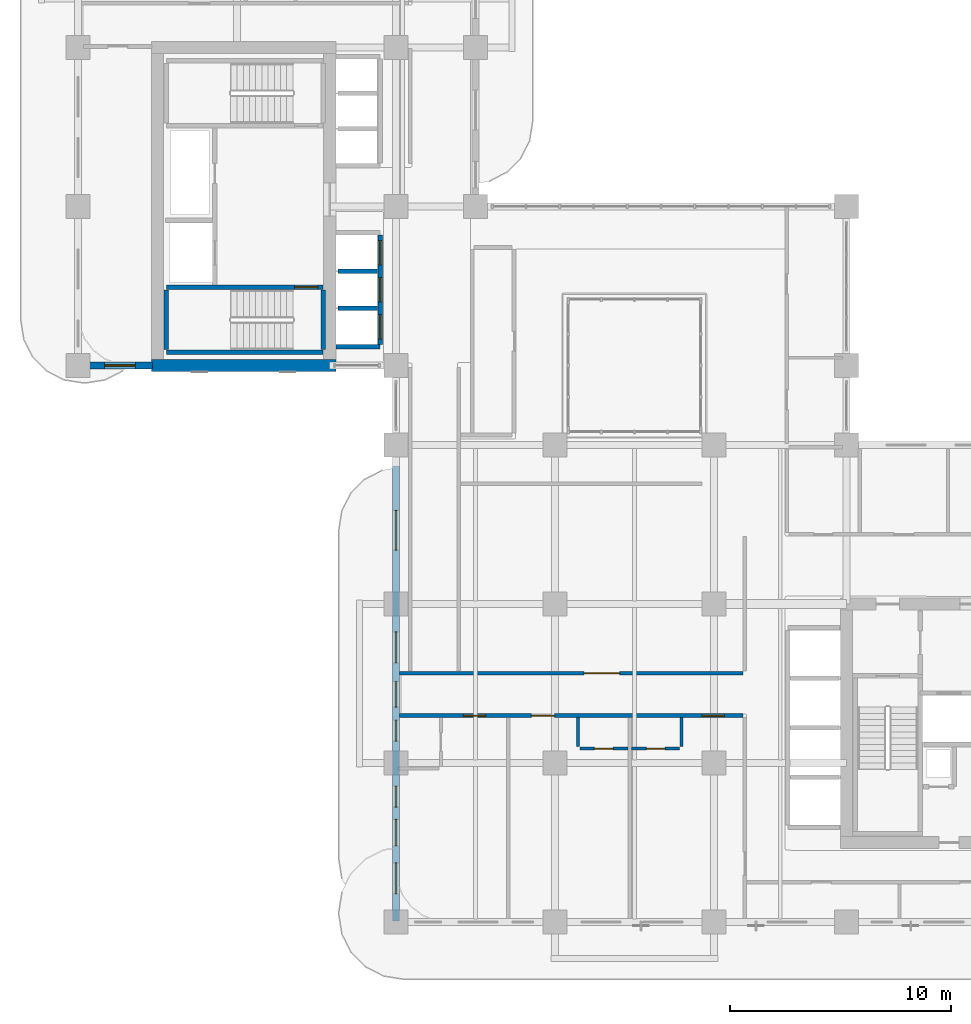
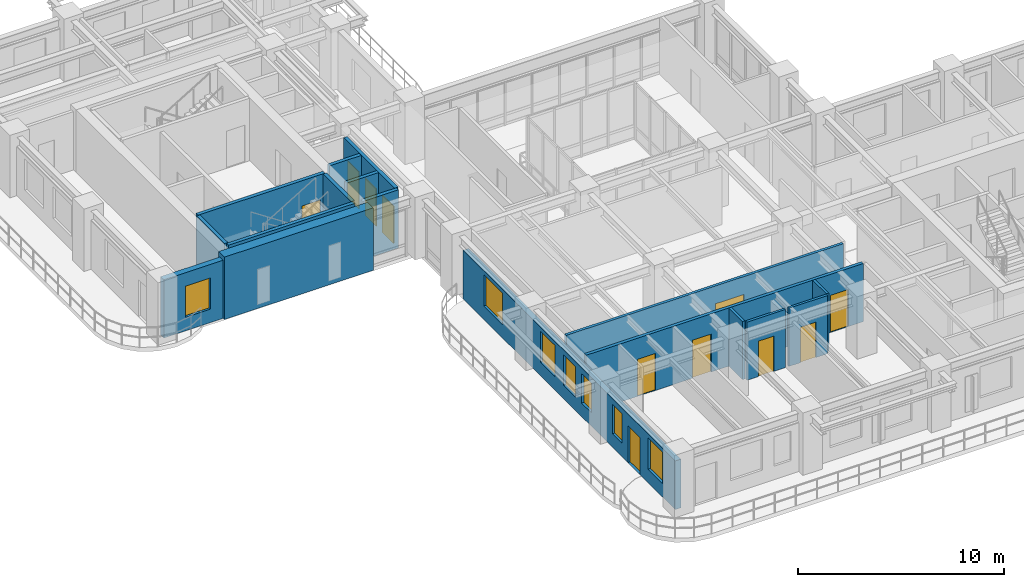
# One storey, part 12 of 22: 17 walls, 11 doors, 7 windows, 18 openings.
"""IFC4 building model written with IfcOpenShell, lengths in metres."""

import ifcopenshell
import ifcopenshell.guid

model = None  # the IFC model being written
_history = None  # IfcOwnerHistory: only IFC2X3 demands one
_inside = {}  # id of a spatial element -> (the spatial element, [elements in it])
_under = {}  # id of a project, library or spatial element -> (it, [spatial elements below it])
_declared = {}  # id of a project -> (the project, [libraries it declares])
_typed = {}  # id of a type object -> (the type object, [elements of that type])
_made_of = {}  # id of a material, layer set ... -> (it, [elements and type objects made of it])


def new_model(schema):
    """Start an empty IFC model of exactly this schema.

    Asked for "IFC4X3", IfcOpenShell would pick the latest addendum, in which some entities
    have other attributes; the version numbers below select the first issue.
    IFC2X3 requires an IfcOwnerHistory on every rooted entity: one is made here for all.
    """
    global model, _history
    if schema == "IFC4X3":
        model = ifcopenshell.file(schema_version=(4, 3, 0, 0))
    else:
        model = ifcopenshell.file(schema=schema)
    _inside.clear()
    _under.clear()
    _declared.clear()
    _typed.clear()
    _made_of.clear()
    _history = None
    if model.schema == "IFC2X3":
        org = make("IfcOrganization", Name="unknown")
        user = make(
            "IfcPersonAndOrganization",
            ThePerson=make("IfcPerson", FamilyName="unknown"),
            TheOrganization=org,
        )
        app = make(
            "IfcApplication",
            ApplicationDeveloper=org,
            Version="unknown",
            ApplicationFullName="unknown",
            ApplicationIdentifier="unknown",
        )
        _history = make(
            "IfcOwnerHistory",
            OwningUser=user,
            OwningApplication=app,
            ChangeAction="ADDED",
            CreationDate=0,
        )
    return model


def make(cls, **values):
    """One entity of the class cls with the attributes given. An attribute that is None is left unset."""
    return model.create_entity(
        cls, **{name: value for name, value in values.items() if value is not None}
    )


def rooted(cls, **values):
    """An entity with a GlobalId (a new one), such as an element, a storey or a relation."""
    return make(cls, GlobalId=ifcopenshell.guid.new(), OwnerHistory=_history, **values)


def si_unit(unit_type, name, prefix=None):
    """IfcSIUnit, for example si_unit("LENGTHUNIT", "METRE", prefix="MILLI")."""
    return make("IfcSIUnit", UnitType=unit_type, Prefix=prefix, Name=name)


def derived_unit(unit_type, elements):
    """IfcDerivedUnit: a product of units, each with its exponent."""
    return make(
        "IfcDerivedUnit",
        Elements=[
            make("IfcDerivedUnitElement", Unit=unit, Exponent=power)
            for unit, power in elements
        ],
        UnitType=unit_type,
    )


def assignment(units):
    """IfcUnitAssignment: the units of a project."""
    return None if units is None else make("IfcUnitAssignment", Units=units)


def point(xyz):
    """IfcCartesianPoint."""
    return None if xyz is None else make("IfcCartesianPoint", Coordinates=xyz)


def direction(xyz):
    """IfcDirection."""
    return None if xyz is None else make("IfcDirection", DirectionRatios=xyz)


def frame(location, z_axis=None, x_axis=None):
    """IfcAxis2Placement3D, a coordinate frame: its origin and axes. An axis left out is left unset."""
    return make(
        "IfcAxis2Placement3D",
        Location=point(location),
        Axis=direction(z_axis),
        RefDirection=direction(x_axis),
    )


def frame_2d(location, x_axis=None):
    """IfcAxis2Placement2D, a coordinate frame in the plane: its origin and x axis."""
    return make(
        "IfcAxis2Placement2D", Location=point(location), RefDirection=direction(x_axis)
    )


def origin():
    """The frame at (0, 0, 0) with its axes left unset."""
    return frame((0.0, 0.0, 0.0))


def place(relative_to, where):
    """IfcLocalPlacement: puts the frame where relative to a parent placement (None: the world)."""
    return make(
        "IfcLocalPlacement", PlacementRelTo=relative_to, RelativePlacement=where
    )


def context(
    kind, dimensions, precision=None, world=None, true_north=None, identifier=None
):
    """IfcGeometricRepresentationContext, for example the 3D "Model" context."""
    return make(
        "IfcGeometricRepresentationContext",
        ContextIdentifier=identifier,
        ContextType=kind,
        CoordinateSpaceDimension=dimensions,
        Precision=precision,
        WorldCoordinateSystem=world,
        TrueNorth=true_north,
    )


def subcontext(parent, identifier, kind, view, scale=None):
    """IfcGeometricRepresentationSubContext, for example "Body" below "Model"."""
    return make(
        "IfcGeometricRepresentationSubContext",
        ContextIdentifier=identifier,
        ContextType=kind,
        ParentContext=parent,
        TargetScale=scale,
        TargetView=view,
    )


def project(units=None, contexts=None):
    """IfcProject with its units and contexts."""
    return rooted(
        "IfcProject",
        Name="project",
        RepresentationContexts=contexts,
        UnitsInContext=assignment(units),
    )


def spatial(cls, under=None, at=None, **own):
    """A site, building, storey or space (cls), placed at a placement, below another one or the project."""
    s = rooted(cls, ObjectPlacement=at, **own)
    if under is not None:
        _under.setdefault(under.id(), (under, []))[1].append(s)
    return s


def profile(cls, at=None, kind="AREA", **sizes):
    """A parametric profile (cls). Its sizes go by their IFC names, for example OverallWidth=200.0."""
    return make(cls, ProfileType=kind, Position=at, **sizes)


def rectangle(**sizes):
    """IfcRectangleProfileDef."""
    return profile("IfcRectangleProfileDef", **sizes)


def extrude(swept, where, along, depth):
    """IfcExtrudedAreaSolid: the profile swept, set in the frame where, extruded along a direction by depth."""
    return make(
        "IfcExtrudedAreaSolid",
        SweptArea=swept,
        Position=where,
        ExtrudedDirection=direction(along),
        Depth=depth,
    )


def shape(context_of_items, identifier, shape_type, items):
    """IfcShapeRepresentation: the items that make up one representation, for example the "Body"."""
    return make(
        "IfcShapeRepresentation",
        ContextOfItems=context_of_items,
        RepresentationIdentifier=identifier,
        RepresentationType=shape_type,
        Items=items,
    )


def source(mapping_origin, context_of_items, identifier, shape_type, items):
    """IfcRepresentationMap: a shape defined once, which mapped items show again and again."""
    return make(
        "IfcRepresentationMap",
        MappingOrigin=mapping_origin,
        MappedRepresentation=shape(context_of_items, identifier, shape_type, items),
    )


def transform(
    local_origin,
    x_axis=None,
    y_axis=None,
    z_axis=None,
    scale=None,
    scale2=None,
    scale3=None,
    uniform=True,
):
    """IfcCartesianTransformationOperator3D, or its non-uniform kind. x_axis, y_axis, z_axis: its Axis1, 2, 3."""
    if uniform:
        return make(
            "IfcCartesianTransformationOperator3D",
            Axis1=direction(x_axis),
            Axis2=direction(y_axis),
            LocalOrigin=point(local_origin),
            Scale=scale,
            Axis3=direction(z_axis),
        )
    return make(
        "IfcCartesianTransformationOperator3DnonUniform",
        Axis1=direction(x_axis),
        Axis2=direction(y_axis),
        LocalOrigin=point(local_origin),
        Scale=scale,
        Axis3=direction(z_axis),
        Scale2=scale2,
        Scale3=scale3,
    )


def mapped(mapping_source, mapping_target):
    """IfcMappedItem: shows the shape of a source again, moved by a transform."""
    return make(
        "IfcMappedItem", MappingSource=mapping_source, MappingTarget=mapping_target
    )


def material(Name=None, Category=None):
    """IfcMaterial."""
    return make("IfcMaterial", Name=Name, Category=Category)


def layer(
    of_material, thickness, ventilated=None, Name=None, Category=None, Priority=None
):
    """IfcMaterialLayer: one layer of a wall or slab, of a material (None: an air gap)."""
    return make(
        "IfcMaterialLayer",
        Material=of_material,
        LayerThickness=thickness,
        IsVentilated=ventilated,
        Name=Name,
        Category=Category,
        Priority=Priority,
    )


def layer_set(layers, Name=None):
    """IfcMaterialLayerSet."""
    return make("IfcMaterialLayerSet", MaterialLayers=layers, LayerSetName=Name)


def made_of(thing, what):
    """Note that an element or type object is made of a material, layer set ...; save() writes the relation."""
    if what is not None:
        _made_of.setdefault(what.id(), (what, []))[1].append(thing)
    return thing


def type_object(cls, material=None, **own):
    """A type object (cls), such as IfcWallType, which elements share."""
    return made_of(rooted(cls, **own), material)


def type_shapes(of_type, sources):
    """Give a type object the sources (RepresentationMaps) that its elements show as mapped items."""
    of_type.RepresentationMaps = sources


def element(
    cls,
    number,
    at=None,
    inside=None,
    cuts=None,
    type_object=None,
    material=None,
    context=None,
    identifier="Body",
    shape_type=None,
    held_by="IfcProductDefinitionShape",
    body=None,
    shapes=None,
    **own,
):
    """One element of the class cls, such as IfcWall. Its Tag is "e" and its number.

    at: its placement. inside: the storey or other place that contains it. cuts: it is an
    opening in that element (IfcRelVoidsElement). A single representation is given by context,
    identifier, shape_type and body (its items); several are given by shapes. held_by: the class
    of the entity that holds the representations. save() writes the other relations.
    """
    e = rooted(cls, Tag="e%d" % number, ObjectPlacement=at, **own)
    if body is not None:
        shapes = [shape(context, identifier, shape_type, body)]
    if shapes is not None:
        e.Representation = make(held_by, Representations=shapes)
    if inside is not None:
        _inside.setdefault(inside.id(), (inside, []))[1].append(e)
    if cuts is not None:
        rooted(
            "IfcRelVoidsElement", RelatingBuildingElement=cuts, RelatedOpeningElement=e
        )
    if type_object is not None:
        _typed.setdefault(type_object.id(), (type_object, []))[1].append(e)
    return made_of(e, material)


def fill(opening, filler):
    """IfcRelFillsElement: the door or window that sits in an opening."""
    return rooted(
        "IfcRelFillsElement",
        RelatingOpeningElement=opening,
        RelatedBuildingElement=filler,
    )


def aggregate(whole, parts):
    """IfcRelAggregates: a whole, such as a stair, and the parts it consists of."""
    return rooted("IfcRelAggregates", RelatingObject=whole, RelatedObjects=parts)


def save(model, path):
    """Write the relations noted so far, then the file.

    IfcRelAggregates (storeys below a building ...), IfcRelContainedInSpatialStructure (elements
    in a storey), IfcRelDefinesByType, IfcRelAssociatesMaterial and IfcRelDeclares: one each for
    every whole, place, type object, material and project.
    """
    for whole, parts in _under.values():
        aggregate(whole, parts)
    for where, things in _inside.values():
        rooted(
            "IfcRelContainedInSpatialStructure",
            RelatedElements=things,
            RelatingStructure=where,
        )
    for kind, things in _typed.values():
        rooted("IfcRelDefinesByType", RelatedObjects=things, RelatingType=kind)
    for what, things in _made_of.values():
        rooted("IfcRelAssociatesMaterial", RelatedObjects=things, RelatingMaterial=what)
    for by, libraries in _declared.values():
        rooted("IfcRelDeclares", RelatingContext=by, RelatedDefinitions=libraries)
    model.write(path)


model = new_model("IFC4")

# Units and contexts
model_context = context("Model", 3, precision=1e-05, world=origin(), true_north=direction((0.0, 1.0)))
body_context = subcontext(model_context, "Body", "Model", "MODEL_VIEW")
ifc_project = project(units=[si_unit("LENGTHUNIT", "METRE"), si_unit("AREAUNIT", "SQUARE_METRE"), si_unit("VOLUMEUNIT", "CUBIC_METRE"), si_unit("PLANEANGLEUNIT", "RADIAN"), si_unit("MASSUNIT", "GRAM", prefix="KILO"), si_unit("THERMODYNAMICTEMPERATUREUNIT", "KELVIN"), si_unit("POWERUNIT", "WATT"), derived_unit("THERMALTRANSMITTANCEUNIT", [(si_unit("POWERUNIT", "WATT"), 1), (si_unit("AREAUNIT", "SQUARE_METRE"), -1), (si_unit("THERMODYNAMICTEMPERATUREUNIT", "KELVIN"), -1)])], contexts=[model_context])

# Site, building, storey
site_placement = place(None, origin())
site = spatial("IfcSite", under=ifc_project, at=site_placement, CompositionType="ELEMENT")
building_placement = place(site_placement, origin())
building = spatial("IfcBuilding", under=site, at=building_placement, Name="Zahravan Archway Hotel and Residences", CompositionType="ELEMENT")
storey_placement = place(building_placement, frame((0.0, 0.0, 76.800048828125)))
storey = spatial("IfcBuildingStorey", under=building, at=storey_placement, Name="L18", CompositionType="ELEMENT", Elevation=76.800048828125)

# Wall
ifc_material_1 = material(Name="Concrete C70/85", Category="concrete")
ifc_layer_1 = layer(ifc_material_1, 0.550048828125, Name="Concrete C70/85", Category="concrete")
ifc_layer_set_1 = layer_set([ifc_layer_1], Name="Concrete C70/85")
wall_type_1 = type_object("IfcWallType", Name="CW-CORE-550", PredefinedType="SHEAR", material=ifc_layer_set_1)
wall_1_placement = place(storey_placement, frame((3.324951171875, 25.199951171875, 0.0), z_axis=(0.0, 0.0, 1.0), x_axis=(1.0, 0.0, 0.0)))
element("IfcWall", 1, at=wall_1_placement, inside=storey, type_object=wall_type_1, Name="L18 Core B Shear S Wall 550 mm", PredefinedType="SHEAR", context=body_context, shape_type="SweptSolid", body=[
    extrude(rectangle(XDim=8.35009765625, YDim=0.550048828125, at=frame_2d((4.175048828125, 0.0))), origin(), (0.0, 0.0, 1.0), 3.699951171875),
])

# Wall, openings, door, windows
ifc_material_2 = material(Name="Agra Buff Sandstone & Insulated Backup", Category="masonry")
ifc_layer_2 = layer(ifc_material_2, 0.320068359375, Name="Agra Buff Sandstone & Insulated Backup", Category="masonry")
ifc_layer_set_2 = layer_set([ifc_layer_2], Name="Agra Buff Sandstone & Insulated Backup")
wall_type_2 = type_object("IfcWallType", Name="EW-SAND-320", PredefinedType="SOLIDWALL", material=ifc_layer_set_2)
wall_2_placement = place(storey_placement, frame((14.39990234375, 0.050048828125, 0.0), z_axis=(0.0, 0.0, 1.0), x_axis=(0.0, 1.0, 0.0)))
wall_2 = element("IfcWall", 2, at=wall_2_placement, inside=storey, type_object=wall_type_2, Name="L18 Exterior Sandstone Wall WA-WL", PredefinedType="SOLIDWALL", context=body_context, shape_type="SweptSolid", body=[
    extrude(rectangle(XDim=20.599853515625, YDim=0.320068359375, at=frame_2d((10.2998046875, 0.0))), origin(), (0.0, 0.0, 1.0), 2.885009765625),
])
opening_1_placement = place(wall_2_placement, frame((3.39990234375, 0.0, 0.0)))
opening_1 = element("IfcOpeningElement", 3, at=opening_1_placement, cuts=wall_2, Name="Opening ED-BL1", PredefinedType="OPENING", context=body_context, shape_type="SweptSolid", body=[
    extrude(rectangle(XDim=1.199951171875, YDim=2.199951171875, at=frame_2d((0.60009765625, 1.10009765625))), frame((0.0, 0.169921875, 0.0), z_axis=(0.0, -1.0, 0.0), x_axis=(1.0, 0.0, 0.0)), (0.0, 0.0, 1.0), 0.340087890625),
])
opening_2_placement = place(wall_2_placement, frame((1.22509765625, 0.0, 0.800048828125)))
opening_2 = element("IfcOpeningElement", 4, at=opening_2_placement, cuts=wall_2, Name="Opening W-03", PredefinedType="OPENING", context=body_context, shape_type="SweptSolid", body=[
    extrude(rectangle(XDim=1.39990234375, YDim=1.85009765625, at=frame_2d((0.699951171875, 0.925048828125))), frame((0.0, 0.169921875, 0.0), z_axis=(0.0, -1.0, 0.0), x_axis=(1.0, 0.0, 0.0)), (0.0, 0.0, 1.0), 0.340087890625),
])
opening_3_placement = place(wall_2_placement, frame((5.14990234375, 0.0, 0.800048828125)))
opening_3 = element("IfcOpeningElement", 5, at=opening_3_placement, cuts=wall_2, Name="Opening W-04", PredefinedType="OPENING", context=body_context, shape_type="SweptSolid", body=[
    extrude(rectangle(XDim=0.949951171875, YDim=1.75, at=frame_2d((0.47509765625, 0.875))), frame((0.0, 0.169921875, 0.0), z_axis=(0.0, -1.0, 0.0), x_axis=(1.0, 0.0, 0.0)), (0.0, 0.0, 1.0), 0.340087890625),
])
opening_4_placement = place(wall_2_placement, frame((8.14599609375, 0.0, 0.800048828125)))
opening_4 = element("IfcOpeningElement", 6, at=opening_4_placement, cuts=wall_2, Name="Opening W-04", PredefinedType="OPENING", context=body_context, shape_type="SweptSolid", body=[
    extrude(rectangle(XDim=0.949951171875, YDim=1.75, at=frame_2d((0.47509765625, 0.875))), frame((0.0, 0.169921875, 0.0), z_axis=(0.0, -1.0, 0.0), x_axis=(1.0, 0.0, 0.0)), (0.0, 0.0, 1.0), 0.340087890625),
])
opening_5_placement = place(wall_2_placement, frame((9.68505859375, 0.0, 0.800048828125)))
opening_5 = element("IfcOpeningElement", 7, at=opening_5_placement, cuts=wall_2, Name="Opening W-05", PredefinedType="OPENING", context=body_context, shape_type="SweptSolid", body=[
    extrude(rectangle(XDim=1.14990234375, YDim=1.800048828125, at=frame_2d((0.574951171875, 0.89990234375))), frame((0.0, 0.169921875, 0.0), z_axis=(0.0, -1.0, 0.0), x_axis=(1.0, 0.0, 0.0)), (0.0, 0.0, 1.0), 0.340087890625),
])
opening_6_placement = place(wall_2_placement, frame((11.68896484375, 0.0, 0.800048828125)))
opening_6 = element("IfcOpeningElement", 8, at=opening_6_placement, cuts=wall_2, Name="Opening W-03", PredefinedType="OPENING", context=body_context, shape_type="SweptSolid", body=[
    extrude(rectangle(XDim=1.39990234375, YDim=1.85009765625, at=frame_2d((0.699951171875, 0.925048828125))), frame((0.0, 0.169921875, 0.0), z_axis=(0.0, -1.0, 0.0), x_axis=(1.0, 0.0, 0.0)), (0.0, 0.0, 1.0), 0.340087890625),
])
opening_7_placement = place(wall_2_placement, frame((16.7900390625, 0.0, 0.800048828125)))
opening_7 = element("IfcOpeningElement", 9, at=opening_7_placement, cuts=wall_2, Name="Opening W-02", PredefinedType="OPENING", context=body_context, shape_type="SweptSolid", body=[
    extrude(rectangle(XDim=1.800048828125, YDim=1.85009765625, at=frame_2d((0.89990234375, 0.925048828125))), frame((0.0, 0.169921875, 0.0), z_axis=(0.0, -1.0, 0.0), x_axis=(1.0, 0.0, 0.0)), (0.0, 0.0, 1.0), 0.340087890625),
])
ifc_material_3 = material(Name="Bronze-Anodized Glazed Aluminium", Category="aluminium")
door_type_1 = type_object("IfcDoorType", Name="ED-BALC-1200", OperationType="SLIDING_TO_LEFT", PredefinedType="DOOR", material=ifc_material_3)
shared_shape_1 = source(origin(), body_context, "Body", "SweptSolid", [
    extrude(rectangle(XDim=1.199951171875, YDim=2.199951171875, at=frame_2d((0.60009765625, 1.10009765625))), frame((0.0, 0.02490234375, 0.0), z_axis=(0.0, -1.0, 0.0), x_axis=(1.0, 0.0, 0.0)), (0.0, 0.0, 1.0), 0.050048828125),
])
type_shapes(door_type_1, [shared_shape_1])
door_1_placement = place(opening_1_placement, origin())
door_1 = element("IfcDoor", 10, at=door_1_placement, inside=storey, type_object=door_type_1, Name="L18 Outdoor Access Sliding Door (SLB-BAL-L18-WA)", OperationType="SLIDING_TO_LEFT", OverallHeight=2.199951171875, OverallWidth=1.199951171875, PredefinedType="DOOR", context=body_context, shape_type="MappedRepresentation", body=[
    mapped(shared_shape_1, transform((0.0, 0.0, 0.0), scale=1.0)),
])
fill(opening_1, door_1)
ifc_material_4 = material(Name="Bronze-Anodized Thermal-Break Aluminium & Low-E Glass", Category="aluminium")
window_type_1 = type_object("IfcWindowType", Name="WIN-TWR-1400", PartitioningType="SINGLE_PANEL", PredefinedType="WINDOW", material=ifc_material_4)
shared_shape_2 = source(origin(), body_context, "Body", "SweptSolid", [
    extrude(rectangle(XDim=1.39990234375, YDim=1.85009765625, at=frame_2d((0.699951171875, 0.925048828125))), frame((0.0, 0.030029296875, 0.0), z_axis=(0.0, -1.0, 0.0), x_axis=(1.0, 0.0, 0.0)), (0.0, 0.0, 1.0), 0.06005859375),
])
type_shapes(window_type_1, [shared_shape_2])
window_1_placement = place(opening_2_placement, origin())
window_1 = element("IfcWindow", 11, at=window_1_placement, inside=storey, type_object=window_type_1, Name="L18 Loggia Window 23", OverallHeight=1.85009765625, OverallWidth=1.39990234375, PartitioningType="SINGLE_PANEL", PredefinedType="WINDOW", context=body_context, shape_type="MappedRepresentation", body=[
    mapped(shared_shape_2, transform((0.0, 0.0, 0.0), scale=1.0)),
])
fill(opening_2, window_1)
window_2_placement = place(opening_6_placement, origin())
window_2 = element("IfcWindow", 12, at=window_2_placement, inside=storey, type_object=window_type_1, Name="L18 Loggia Window 27", OverallHeight=1.85009765625, OverallWidth=1.39990234375, PartitioningType="SINGLE_PANEL", PredefinedType="WINDOW", context=body_context, shape_type="MappedRepresentation", body=[
    mapped(shared_shape_2, transform((0.0, 0.0, 0.0), scale=1.0)),
])
fill(opening_6, window_2)
window_type_2 = type_object("IfcWindowType", Name="WIN-NAR-950", PartitioningType="SINGLE_PANEL", PredefinedType="WINDOW", material=ifc_material_4)
shared_shape_3 = source(origin(), body_context, "Body", "SweptSolid", [
    extrude(rectangle(XDim=0.949951171875, YDim=1.75, at=frame_2d((0.47509765625, 0.875))), frame((0.0, 0.030029296875, 0.0), z_axis=(0.0, -1.0, 0.0), x_axis=(1.0, 0.0, 0.0)), (0.0, 0.0, 1.0), 0.06005859375),
])
type_shapes(window_type_2, [shared_shape_3])
window_3_placement = place(opening_3_placement, origin())
window_3 = element("IfcWindow", 13, at=window_3_placement, inside=storey, type_object=window_type_2, Name="L18 Loggia Window 24", OverallHeight=1.75, OverallWidth=0.949951171875, PartitioningType="SINGLE_PANEL", PredefinedType="WINDOW", context=body_context, shape_type="MappedRepresentation", body=[
    mapped(shared_shape_3, transform((0.0, 0.0, 0.0), scale=1.0)),
])
fill(opening_3, window_3)
window_4_placement = place(opening_4_placement, origin())
window_4 = element("IfcWindow", 14, at=window_4_placement, inside=storey, type_object=window_type_2, Name="L18 Loggia Window 25", OverallHeight=1.75, OverallWidth=0.949951171875, PartitioningType="SINGLE_PANEL", PredefinedType="WINDOW", context=body_context, shape_type="MappedRepresentation", body=[
    mapped(shared_shape_3, transform((0.0, 0.0, 0.0), scale=1.0)),
])
fill(opening_4, window_4)
window_type_3 = type_object("IfcWindowType", Name="WIN-TWR-1800", PartitioningType="DOUBLE_PANEL_VERTICAL", PredefinedType="WINDOW", material=ifc_material_4)
shared_shape_4 = source(origin(), body_context, "Body", "SweptSolid", [
    extrude(rectangle(XDim=1.800048828125, YDim=1.85009765625, at=frame_2d((0.89990234375, 0.925048828125))), frame((0.0, 0.030029296875, 0.0), z_axis=(0.0, -1.0, 0.0), x_axis=(1.0, 0.0, 0.0)), (0.0, 0.0, 1.0), 0.06005859375),
])
type_shapes(window_type_3, [shared_shape_4])
window_5_placement = place(opening_7_placement, origin())
window_5 = element("IfcWindow", 15, at=window_5_placement, inside=storey, type_object=window_type_3, Name="L18 Loggia Window 28", OverallHeight=1.85009765625, OverallWidth=1.800048828125, PartitioningType="DOUBLE_PANEL_VERTICAL", PredefinedType="WINDOW", context=body_context, shape_type="MappedRepresentation", body=[
    mapped(shared_shape_4, transform((0.0, 0.0, 0.0), scale=1.0)),
])
fill(opening_7, window_5)
window_type_4 = type_object("IfcWindowType", Name="WIN-TWR-1150", PartitioningType="SINGLE_PANEL", PredefinedType="WINDOW", material=ifc_material_4)
shared_shape_5 = source(origin(), body_context, "Body", "SweptSolid", [
    extrude(rectangle(XDim=1.14990234375, YDim=1.800048828125, at=frame_2d((0.574951171875, 0.89990234375))), frame((0.0, 0.030029296875, 0.0), z_axis=(0.0, -1.0, 0.0), x_axis=(1.0, 0.0, 0.0)), (0.0, 0.0, 1.0), 0.06005859375),
])
type_shapes(window_type_4, [shared_shape_5])
window_6_placement = place(opening_5_placement, origin())
window_6 = element("IfcWindow", 16, at=window_6_placement, inside=storey, type_object=window_type_4, Name="L18 Loggia Window 26", OverallHeight=1.800048828125, OverallWidth=1.14990234375, PartitioningType="SINGLE_PANEL", PredefinedType="WINDOW", context=body_context, shape_type="MappedRepresentation", body=[
    mapped(shared_shape_5, transform((0.0, 0.0, 0.0), scale=1.0)),
])
fill(opening_5, window_6)

# Wall, opening, window
wall_3_placement = place(storey_placement, frame((0.0, 25.199951171875, 0.0), z_axis=(0.0, 0.0, 1.0), x_axis=(1.0, 0.0, 0.0)))
wall_3 = element("IfcWall", 17, at=wall_3_placement, inside=storey, type_object=wall_type_2, Name="L18 Exterior Sandstone Wall WB-SW", PredefinedType="SOLIDWALL", context=body_context, shape_type="SweptSolid", body=[
    extrude(rectangle(XDim=3.3798828125, YDim=0.320068359375, at=frame_2d((1.68994140625, 0.0))), origin(), (0.0, 0.0, 1.0), 3.449951171875),
])
opening_8_placement = place(wall_3_placement, frame((1.205078125, 0.0, 0.800048828125)))
opening_8 = element("IfcOpeningElement", 18, at=opening_8_placement, cuts=wall_3, Name="Opening W-03", PredefinedType="OPENING", context=body_context, shape_type="SweptSolid", body=[
    extrude(rectangle(XDim=1.39990234375, YDim=1.85009765625, at=frame_2d((0.699951171875, 0.925048828125))), frame((0.0, 0.169921875, 0.0), z_axis=(0.0, -1.0, 0.0), x_axis=(1.0, 0.0, 0.0)), (0.0, 0.0, 1.0), 0.340087890625),
])
window_7_placement = place(opening_8_placement, origin())
window_7 = element("IfcWindow", 19, at=window_7_placement, inside=storey, type_object=window_type_1, Name="L18 Loggia Window 29", OverallHeight=1.85009765625, OverallWidth=1.39990234375, PartitioningType="SINGLE_PANEL", PredefinedType="WINDOW", context=body_context, shape_type="MappedRepresentation", body=[
    mapped(shared_shape_2, transform((0.0, 0.0, 0.0), scale=1.0)),
])
fill(opening_8, window_7)

# Wall, opening, door
ifc_material_5 = material(Name="Fire-Rated Gypsum & Concrete Block", Category="concrete")
ifc_layer_3 = layer(ifc_material_5, 0.159912109375, Name="Fire-Rated Gypsum & Concrete Block", Category="concrete")
ifc_layer_set_3 = layer_set([ifc_layer_3], Name="Fire-Rated Gypsum & Concrete Block")
wall_type_3 = type_object("IfcWallType", Name="PW-CORR-160", PredefinedType="PARTITIONING", material=ifc_layer_set_3)
wall_4_placement = place(storey_placement, frame((14.568115234375, 11.27001953125, 0.0), z_axis=(0.0, 0.0, 1.0), x_axis=(1.0, 0.0, 0.0)))
wall_4 = element("IfcWall", 20, at=wall_4_placement, inside=storey, type_object=wall_type_3, Name="L18 Partition WA-CN", PredefinedType="PARTITIONING", context=body_context, shape_type="SweptSolid", body=[
    extrude(rectangle(XDim=15.5419921875, YDim=0.159912109375, at=frame_2d((7.77099609375, 0.0))), origin(), (0.0, 0.0, 1.0), 3.449951171875),
])
opening_9_placement = place(wall_4_placement, frame((8.35693359375, 0.0, 0.0)))
opening_9 = element("IfcOpeningElement", 21, at=opening_9_placement, cuts=wall_4, Name="Opening D-P2", PredefinedType="OPENING", context=body_context, shape_type="SweptSolid", body=[
    extrude(rectangle(XDim=1.60009765625, YDim=2.39990234375, at=frame_2d((0.800048828125, 1.199951171875))), frame((0.0, 0.08984375, 0.0), z_axis=(0.0, -1.0, 0.0), x_axis=(1.0, 0.0, 0.0)), (0.0, 0.0, 1.0), 0.179931640625),
])
door_type_2 = type_object("IfcDoorType", Name="ID-PUBLIC-1600", OperationType="DOUBLE_DOOR_SINGLE_SWING", PredefinedType="DOOR", material=ifc_material_3)
shared_shape_6 = source(origin(), body_context, "Body", "SweptSolid", [
    extrude(rectangle(XDim=1.60009765625, YDim=2.39990234375, at=frame_2d((0.800048828125, 1.199951171875))), frame((0.0, 0.02490234375, 0.0), z_axis=(0.0, -1.0, 0.0), x_axis=(1.0, 0.0, 0.0)), (0.0, 0.0, 1.0), 0.050048828125),
])
type_shapes(door_type_2, [shared_shape_6])
door_2_placement = place(opening_9_placement, origin())
door_2 = element("IfcDoor", 22, at=door_2_placement, inside=storey, type_object=door_type_2, Name="L18 Atrium Spa Door", OperationType="DOUBLE_DOOR_SINGLE_SWING", OverallHeight=2.39990234375, OverallWidth=1.60009765625, PredefinedType="DOOR", context=body_context, shape_type="MappedRepresentation", body=[
    mapped(shared_shape_6, transform((0.0, 0.0, 0.0), scale=1.0)),
])
fill(opening_9, door_2)

# Wall, openings, doors
ifc_layer_4 = layer(ifc_material_5, 0.179931640625, Name="Fire-Rated Gypsum & Concrete Block", Category="concrete")
ifc_layer_set_4 = layer_set([ifc_layer_4], Name="Fire-Rated Gypsum & Concrete Block")
wall_type_4 = type_object("IfcWallType", Name="PW-CORR-180", PredefinedType="PARTITIONING", material=ifc_layer_set_4)
wall_5_placement = place(storey_placement, frame((14.568115234375, 9.35009765625, 0.0), z_axis=(0.0, 0.0, 1.0), x_axis=(1.0, 0.0, 0.0)))
wall_5 = element("IfcWall", 23, at=wall_5_placement, inside=storey, type_object=wall_type_4, Name="L18 Partition WA-CS", PredefinedType="PARTITIONING", context=body_context, shape_type="SweptSolid", body=[
    extrude(rectangle(XDim=15.5419921875, YDim=0.179931640625, at=frame_2d((7.77099609375, 0.0))), origin(), (0.0, 0.0, 1.0), 3.449951171875),
])
opening_10_placement = place(wall_5_placement, frame((2.887939453125, 0.0, 0.0)))
opening_10 = element("IfcOpeningElement", 24, at=opening_10_placement, cuts=wall_5, Name="Opening D-U2", PredefinedType="OPENING", context=body_context, shape_type="SweptSolid", body=[
    extrude(rectangle(XDim=1.0, YDim=2.199951171875, at=frame_2d((0.5, 1.10009765625))), frame((0.0, 0.10009765625, 0.0), z_axis=(0.0, -1.0, 0.0), x_axis=(1.0, 0.0, 0.0)), (0.0, 0.0, 1.0), 0.199951171875),
])
opening_11_placement = place(wall_5_placement, frame((5.965087890625, 0.0, 0.0)))
opening_11 = element("IfcOpeningElement", 25, at=opening_11_placement, cuts=wall_5, Name="Opening D-U1", PredefinedType="OPENING", context=body_context, shape_type="SweptSolid", body=[
    extrude(rectangle(XDim=1.050048828125, YDim=2.25, at=frame_2d((0.52490234375, 1.125))), frame((0.0, 0.10009765625, 0.0), z_axis=(0.0, -1.0, 0.0), x_axis=(1.0, 0.0, 0.0)), (0.0, 0.0, 1.0), 0.199951171875),
])
opening_12_placement = place(wall_5_placement, frame((13.699951171875, 0.0, 0.0)))
opening_12 = element("IfcOpeningElement", 26, at=opening_12_placement, cuts=wall_5, Name="Opening D-U2", PredefinedType="OPENING", context=body_context, shape_type="SweptSolid", body=[
    extrude(rectangle(XDim=1.0, YDim=2.199951171875, at=frame_2d((0.5, 1.10009765625))), frame((0.0, 0.10009765625, 0.0), z_axis=(0.0, -1.0, 0.0), x_axis=(1.0, 0.0, 0.0)), (0.0, 0.0, 1.0), 0.199951171875),
])
ifc_material_6 = material(Name="Hardwood Veneer Timber", Category="wood")
door_type_3 = type_object("IfcDoorType", Name="ID-UNIT-1050", OperationType="NOTDEFINED", PredefinedType="DOOR", material=ifc_material_6)
shared_shape_7 = source(origin(), body_context, "Body", "SweptSolid", [
    extrude(rectangle(XDim=1.050048828125, YDim=2.25, at=frame_2d((0.52490234375, 1.125))), frame((0.0, 0.02490234375, 0.0), z_axis=(0.0, -1.0, 0.0), x_axis=(1.0, 0.0, 0.0)), (0.0, 0.0, 1.0), 0.050048828125),
])
type_shapes(door_type_3, [shared_shape_7])
door_3_placement = place(opening_11_placement, origin())
door_3 = element("IfcDoor", 27, at=door_3_placement, inside=storey, type_object=door_type_3, Name="L18 Hotel Guestroom 2 Entrance Door", OperationType="SINGLE_SWING_LEFT", OverallHeight=2.25, OverallWidth=1.050048828125, PredefinedType="DOOR", context=body_context, shape_type="MappedRepresentation", body=[
    mapped(shared_shape_7, transform((0.0, 0.0, 0.0), scale=1.0)),
])
fill(opening_11, door_3)
door_type_4 = type_object("IfcDoorType", Name="ID-UNIT-1000", OperationType="NOTDEFINED", PredefinedType="DOOR", material=ifc_material_6)
shared_shape_8 = source(origin(), body_context, "Body", "SweptSolid", [
    extrude(rectangle(XDim=1.0, YDim=2.199951171875, at=frame_2d((0.5, 1.10009765625))), frame((0.0, 0.02490234375, 0.0), z_axis=(0.0, -1.0, 0.0), x_axis=(1.0, 0.0, 0.0)), (0.0, 0.0, 1.0), 0.050048828125),
])
type_shapes(door_type_4, [shared_shape_8])
door_4_placement = place(opening_10_placement, origin())
door_4 = element("IfcDoor", 28, at=door_4_placement, inside=storey, type_object=door_type_4, Name="L18 Hotel Guestroom 1 Entrance Door", OperationType="SINGLE_SWING_LEFT", OverallHeight=2.199951171875, OverallWidth=1.0, PredefinedType="DOOR", context=body_context, shape_type="MappedRepresentation", body=[
    mapped(shared_shape_8, transform((0.0, 0.0, 0.0), scale=1.0)),
])
fill(opening_10, door_4)
door_5_placement = place(opening_12_placement, origin())
door_5 = element("IfcDoor", 29, at=door_5_placement, inside=storey, type_object=door_type_4, Name="L18 Hotel Guestroom 3 Entrance Door", OperationType="SINGLE_SWING_LEFT", OverallHeight=2.199951171875, OverallWidth=1.0, PredefinedType="DOOR", context=body_context, shape_type="MappedRepresentation", body=[
    mapped(shared_shape_8, transform((0.0, 0.0, 0.0), scale=1.0)),
])
fill(opening_12, door_5)

# Wall
ifc_layer_5 = layer(ifc_material_5, 0.199951171875, Name="Fire-Rated Gypsum & Concrete Block", Category="concrete")
ifc_layer_set_5 = layer_set([ifc_layer_5], Name="Fire-Rated Gypsum & Concrete Block")
wall_type_5 = type_object("IfcWallType", Name="PW-SHAFT-200", PredefinedType="PARTITIONING", material=ifc_layer_set_5)
wall_6_placement = place(storey_placement, frame((11.68505859375, 26.050048828125, 0.0), z_axis=(0.0, 0.0, 1.0), x_axis=(1.0, 0.0, 0.0)))
element("IfcWall", 30, at=wall_6_placement, inside=storey, type_object=wall_type_5, Name="L18 Partition B1-S", PredefinedType="PARTITIONING", context=body_context, shape_type="SweptSolid", body=[
    extrude(rectangle(XDim=1.98486328125, YDim=0.199951171875, at=frame_2d((0.992431640625, 0.0))), origin(), (0.0, 0.0, 1.0), 3.449951171875),
])

# Wall, openings, doors
wall_7_placement = place(storey_placement, frame((13.679931640625, 26.159912109375, 0.0), z_axis=(0.0, 0.0, 1.0), x_axis=(0.0, 1.0, 0.0)))
wall_7 = element("IfcWall", 31, at=wall_7_placement, inside=storey, type_object=wall_type_5, Name="L18 Partition B1-E", PredefinedType="PARTITIONING", context=body_context, shape_type="SweptSolid", body=[
    extrude(rectangle(XDim=4.940185546875, YDim=0.199951171875, at=frame_2d((2.47021484375, 0.0))), origin(), (0.0, 0.0, 1.0), 3.449951171875),
])
opening_13_placement = place(wall_7_placement, frame((0.239990234375, 0.0, 0.0)))
opening_13 = element("IfcOpeningElement", 32, at=opening_13_placement, cuts=wall_7, Name="Opening LD", PredefinedType="OPENING", context=body_context, shape_type="SweptSolid", body=[
    extrude(rectangle(XDim=1.10009765625, YDim=2.199951171875, at=frame_2d((0.550048828125, 1.10009765625))), frame((0.0, 0.10986328125, 0.0), z_axis=(0.0, -1.0, 0.0), x_axis=(1.0, 0.0, 0.0)), (0.0, 0.0, 1.0), 0.219970703125),
])
opening_14_placement = place(wall_7_placement, frame((1.919921875, 0.0, 0.0)))
opening_14 = element("IfcOpeningElement", 33, at=opening_14_placement, cuts=wall_7, Name="Opening LD", PredefinedType="OPENING", context=body_context, shape_type="SweptSolid", body=[
    extrude(rectangle(XDim=1.10009765625, YDim=2.199951171875, at=frame_2d((0.550048828125, 1.10009765625))), frame((0.0, 0.10986328125, 0.0), z_axis=(0.0, -1.0, 0.0), x_axis=(1.0, 0.0, 0.0)), (0.0, 0.0, 1.0), 0.219970703125),
])
opening_15_placement = place(wall_7_placement, frame((3.60009765625, 0.0, 0.0)))
opening_15 = element("IfcOpeningElement", 34, at=opening_15_placement, cuts=wall_7, Name="Opening LD", PredefinedType="OPENING", context=body_context, shape_type="SweptSolid", body=[
    extrude(rectangle(XDim=1.10009765625, YDim=2.199951171875, at=frame_2d((0.550048828125, 1.10009765625))), frame((0.0, 0.10986328125, 0.0), z_axis=(0.0, -1.0, 0.0), x_axis=(1.0, 0.0, 0.0)), (0.0, 0.0, 1.0), 0.219970703125),
])
ifc_material_7 = material(Name="Brushed Stainless Steel", Category="steel")
door_type_5 = type_object("IfcDoorType", Name="DR-LIFT-LD", OperationType="SLIDING_TO_LEFT", PredefinedType="DOOR", material=ifc_material_7)
shared_shape_9 = source(origin(), body_context, "Body", "SweptSolid", [
    extrude(rectangle(XDim=1.10009765625, YDim=2.199951171875, at=frame_2d((0.550048828125, 1.10009765625))), frame((0.0, 0.02490234375, 0.0), z_axis=(0.0, -1.0, 0.0), x_axis=(1.0, 0.0, 0.0)), (0.0, 0.0, 1.0), 0.050048828125),
])
type_shapes(door_type_5, [shared_shape_9])
door_6_placement = place(opening_13_placement, origin())
door_6 = element("IfcDoor", 35, at=door_6_placement, inside=storey, type_object=door_type_5, Name="L18 Lift LP-1 Sliding Landing Door", OperationType="SLIDING_TO_LEFT", OverallHeight=2.199951171875, OverallWidth=1.10009765625, PredefinedType="DOOR", context=body_context, shape_type="MappedRepresentation", body=[
    mapped(shared_shape_9, transform((0.0, 0.0, 0.0), scale=1.0)),
])
fill(opening_13, door_6)
door_7_placement = place(opening_14_placement, origin())
door_7 = element("IfcDoor", 36, at=door_7_placement, inside=storey, type_object=door_type_5, Name="L18 Lift LP-2 Sliding Landing Door", OperationType="SLIDING_TO_LEFT", OverallHeight=2.199951171875, OverallWidth=1.10009765625, PredefinedType="DOOR", context=body_context, shape_type="MappedRepresentation", body=[
    mapped(shared_shape_9, transform((0.0, 0.0, 0.0), scale=1.0)),
])
fill(opening_14, door_7)
door_8_placement = place(opening_15_placement, origin())
door_8 = element("IfcDoor", 37, at=door_8_placement, inside=storey, type_object=door_type_5, Name="L18 Lift LP-3 Sliding Landing Door", OperationType="SLIDING_TO_LEFT", OverallHeight=2.199951171875, OverallWidth=1.10009765625, PredefinedType="DOOR", context=body_context, shape_type="MappedRepresentation", body=[
    mapped(shared_shape_9, transform((0.0, 0.0, 0.0), scale=1.0)),
])
fill(opening_15, door_8)

# Walls
for number, where, z_axis, x_axis, name in (
    (38, (11.784912109375, 27.7900390625, 0.0), (0.0, 0.0, 1.0), (1.0, 0.0, 0.0), "L18 Partition B1-D"),
    (39, (11.784912109375, 29.469970703125, 0.0), (0.0, 0.0, 1.0), (1.0, 0.0, 0.0), "L18 Partition B1-D"),
):
    element("IfcWall", number, at=place(storey_placement, frame(where, z_axis=z_axis, x_axis=x_axis)), inside=storey, type_object=wall_type_5, Name=name, PredefinedType="PARTITIONING", context=body_context, shape_type="SweptSolid", body=[
        extrude(rectangle(XDim=1.78515625, YDim=0.199951171875, at=frame_2d((0.892578125, 0.0))), origin(), (0.0, 0.0, 1.0), 3.449951171875),
    ])
ifc_material_8 = material(Name="Moisture-Resistant Blockwork", Category="masonry")
ifc_layer_6 = layer(ifc_material_8, 0.139892578125, Name="Moisture-Resistant Blockwork", Category="masonry")
ifc_layer_set_6 = layer_set([ifc_layer_6], Name="Moisture-Resistant Blockwork")
wall_type_6 = type_object("IfcWallType", Name="PW-WET-140", PredefinedType="PARTITIONING", material=ifc_layer_set_6)
wall_8_placement = place(storey_placement, frame((22.635986328125, 7.93994140625, 0.0), z_axis=(0.0, 0.0, 1.0), x_axis=(0.0, 1.0, 0.0)))
element("IfcWall", 40, at=wall_8_placement, inside=storey, type_object=wall_type_6, Name="L18 Partition HKB-V2", PredefinedType="PARTITIONING", context=body_context, shape_type="SweptSolid", body=[
    extrude(rectangle(XDim=1.320068359375, YDim=0.139892578125, at=frame_2d((0.66015625, 0.0))), origin(), (0.0, 0.0, 1.0), 3.449951171875),
])

# Wall, opening, door
wall_9_placement = place(storey_placement, frame((22.72607421875, 7.85009765625, 0.0), z_axis=(0.0, 0.0, 1.0), x_axis=(1.0, 0.0, 0.0)))
wall_9 = element("IfcWall", 41, at=wall_9_placement, inside=storey, type_object=wall_type_6, Name="L18 Partition HKB-H2", PredefinedType="PARTITIONING", context=body_context, shape_type="SweptSolid", body=[
    extrude(rectangle(XDim=2.169921875, YDim=0.139892578125, at=frame_2d((1.0849609375, 0.0))), origin(), (0.0, 0.0, 1.0), 3.449951171875),
])
opening_16_placement = place(wall_9_placement, frame((0.659912109375, 0.0, 0.0)))
opening_16 = element("IfcOpeningElement", 42, at=opening_16_placement, cuts=wall_9, Name="Opening D-B1", PredefinedType="OPENING", context=body_context, shape_type="SweptSolid", body=[
    extrude(rectangle(XDim=0.85009765625, YDim=2.10009765625, at=frame_2d((0.425048828125, 1.050048828125))), frame((0.0, 0.080078125, 0.0), z_axis=(0.0, -1.0, 0.0), x_axis=(1.0, 0.0, 0.0)), (0.0, 0.0, 1.0), 0.159912109375),
])
door_type_6 = type_object("IfcDoorType", Name="ID-BATH-850", OperationType="NOTDEFINED", PredefinedType="DOOR", material=ifc_material_6)
shared_shape_10 = source(origin(), body_context, "Body", "SweptSolid", [
    extrude(rectangle(XDim=0.85009765625, YDim=2.10009765625, at=frame_2d((0.425048828125, 1.050048828125))), frame((0.0, 0.02490234375, 0.0), z_axis=(0.0, -1.0, 0.0), x_axis=(1.0, 0.0, 0.0)), (0.0, 0.0, 1.0), 0.050048828125),
])
type_shapes(door_type_6, [shared_shape_10])
door_9_placement = place(opening_16_placement, origin())
door_9 = element("IfcDoor", 43, at=door_9_placement, inside=storey, type_object=door_type_6, Name="L18 Guestroom 2 En-Suite Door", OperationType="SINGLE_SWING_RIGHT", OverallHeight=2.10009765625, OverallWidth=0.85009765625, PredefinedType="DOOR", context=body_context, shape_type="MappedRepresentation", body=[
    mapped(shared_shape_10, transform((0.0, 0.0, 0.0), scale=1.0)),
])
fill(opening_16, door_9)

# Wall
wall_10_placement = place(storey_placement, frame((27.3359375, 7.93994140625, 0.0), z_axis=(0.0, 0.0, 1.0), x_axis=(0.0, 1.0, 0.0)))
element("IfcWall", 44, at=wall_10_placement, inside=storey, type_object=wall_type_6, Name="L18 Partition HKB-V3", PredefinedType="PARTITIONING", context=body_context, shape_type="SweptSolid", body=[
    extrude(rectangle(XDim=1.320068359375, YDim=0.139892578125, at=frame_2d((0.66015625, 0.0))), origin(), (0.0, 0.0, 1.0), 3.449951171875),
])

# Wall, opening, door
wall_11_placement = place(storey_placement, frame((25.075927734375, 7.85009765625, 0.0), z_axis=(0.0, 0.0, 1.0), x_axis=(1.0, 0.0, 0.0)))
wall_11 = element("IfcWall", 45, at=wall_11_placement, inside=storey, type_object=wall_type_6, Name="L18 Partition HKB-H3", PredefinedType="PARTITIONING", context=body_context, shape_type="SweptSolid", body=[
    extrude(rectangle(XDim=2.170166015625, YDim=0.139892578125, at=frame_2d((1.0849609375, 0.0))), origin(), (0.0, 0.0, 1.0), 3.449951171875),
])
opening_17_placement = place(wall_11_placement, frame((0.659912109375, 0.0, 0.0)))
opening_17 = element("IfcOpeningElement", 46, at=opening_17_placement, cuts=wall_11, Name="Opening D-B1", PredefinedType="OPENING", context=body_context, shape_type="SweptSolid", body=[
    extrude(rectangle(XDim=0.85009765625, YDim=2.10009765625, at=frame_2d((0.425048828125, 1.050048828125))), frame((0.0, 0.080078125, 0.0), z_axis=(0.0, -1.0, 0.0), x_axis=(1.0, 0.0, 0.0)), (0.0, 0.0, 1.0), 0.159912109375),
])
door_10_placement = place(opening_17_placement, origin())
door_10 = element("IfcDoor", 47, at=door_10_placement, inside=storey, type_object=door_type_6, Name="L18 Guestroom 3 En-Suite Door", OperationType="SINGLE_SWING_RIGHT", OverallHeight=2.10009765625, OverallWidth=0.85009765625, PredefinedType="DOOR", context=body_context, shape_type="MappedRepresentation", body=[
    mapped(shared_shape_10, transform((0.0, 0.0, 0.0), scale=1.0)),
])
fill(opening_17, door_10)

# Walls
ifc_material_9 = material(Name="Concrete C50/60", Category="concrete")
ifc_layer_7 = layer(ifc_material_9, 0.199951171875, Name="Concrete C50/60", Category="concrete")
ifc_layer_set_7 = layer_set([ifc_layer_7], Name="Concrete C50/60")
wall_type_7 = type_object("IfcWallType", Name="SW-STAIR-200", PredefinedType="SHEAR", material=ifc_layer_set_7)
wall_12_placement = place(storey_placement, frame((4.0, 25.800048828125, 0.0), z_axis=(0.0, 0.0, 1.0), x_axis=(1.0, 0.0, 0.0)))
element("IfcWall", 48, at=wall_12_placement, inside=storey, type_object=wall_type_7, Name="L18 Stairwell RC Wall CB-SB1S", PredefinedType="SHEAR", context=body_context, shape_type="SweptSolid", body=[
    extrude(rectangle(XDim=7.10009765625, YDim=0.199951171875, at=frame_2d((3.550048828125, 0.0))), origin(), (0.0, 0.0, 1.0), 3.699951171875),
])
for number, where, z_axis, x_axis, name in (
    (49, (4.0, 25.919921875, 0.0), (0.0, 0.0, 1.0), (0.0, 1.0, 0.0), "L18 Stairwell RC Wall CB-SB1W"),
    (50, (11.10009765625, 25.919921875, 0.0), (0.0, 0.0, 1.0), (0.0, 1.0, 0.0), "L18 Stairwell RC Wall CB-SB1E"),
):
    element("IfcWall", number, at=place(storey_placement, frame(where, z_axis=z_axis, x_axis=x_axis)), inside=storey, type_object=wall_type_7, Name=name, PredefinedType="SHEAR", context=body_context, shape_type="SweptSolid", body=[
        extrude(rectangle(XDim=2.7001953125, YDim=0.199951171875, at=frame_2d((1.35009765625, 0.0))), origin(), (0.0, 0.0, 1.0), 3.699951171875),
    ])

# Wall, opening, door
wall_13_placement = place(storey_placement, frame((4.0, 28.739990234375, 0.0), z_axis=(0.0, 0.0, 1.0), x_axis=(1.0, 0.0, 0.0)))
wall_13 = element("IfcWall", 51, at=wall_13_placement, inside=storey, type_object=wall_type_7, Name="L18 Stairwell RC Wall CB-SB1N", PredefinedType="SHEAR", context=body_context, shape_type="SweptSolid", body=[
    extrude(rectangle(XDim=7.10009765625, YDim=0.199951171875, at=frame_2d((3.550048828125, 0.0))), origin(), (0.0, 0.0, 1.0), 3.699951171875),
])
opening_18_placement = place(wall_13_placement, frame((5.81494140625, 0.0, 0.0)))
opening_18 = element("IfcOpeningElement", 52, at=opening_18_placement, cuts=wall_13, Name="Opening FD-S1", PredefinedType="OPENING", context=body_context, shape_type="SweptSolid", body=[
    extrude(rectangle(XDim=1.050048828125, YDim=2.199951171875, at=frame_2d((0.52490234375, 1.10009765625))), frame((0.0, 0.10986328125, 0.0), z_axis=(0.0, -1.0, 0.0), x_axis=(1.0, 0.0, 0.0)), (0.0, 0.0, 1.0), 0.219970703125),
])
ifc_material_10 = material(Name="Fire-Rated Painted Steel", Category="steel")
door_type_7 = type_object("IfcDoorType", Name="FD-STAIR-1100", OperationType="NOTDEFINED", PredefinedType="DOOR", material=ifc_material_10)
shared_shape_11 = source(origin(), body_context, "Body", "SweptSolid", [
    extrude(rectangle(XDim=1.050048828125, YDim=2.199951171875, at=frame_2d((0.52490234375, 1.10009765625))), frame((0.0, 0.02490234375, 0.0), z_axis=(0.0, -1.0, 0.0), x_axis=(1.0, 0.0, 0.0)), (0.0, 0.0, 1.0), 0.050048828125),
])
type_shapes(door_type_7, [shared_shape_11])
door_11_placement = place(opening_18_placement, origin())
door_11 = element("IfcDoor", 53, at=door_11_placement, inside=storey, type_object=door_type_7, Name="L18 Stair ST-B1 Door", OperationType="SINGLE_SWING_RIGHT", OverallHeight=2.199951171875, OverallWidth=1.050048828125, PredefinedType="DOOR", context=body_context, shape_type="MappedRepresentation", body=[
    mapped(shared_shape_11, transform((0.0, 0.0, 0.0), scale=1.0)),
])
fill(opening_18, door_11)

save(model, "model.ifc")
